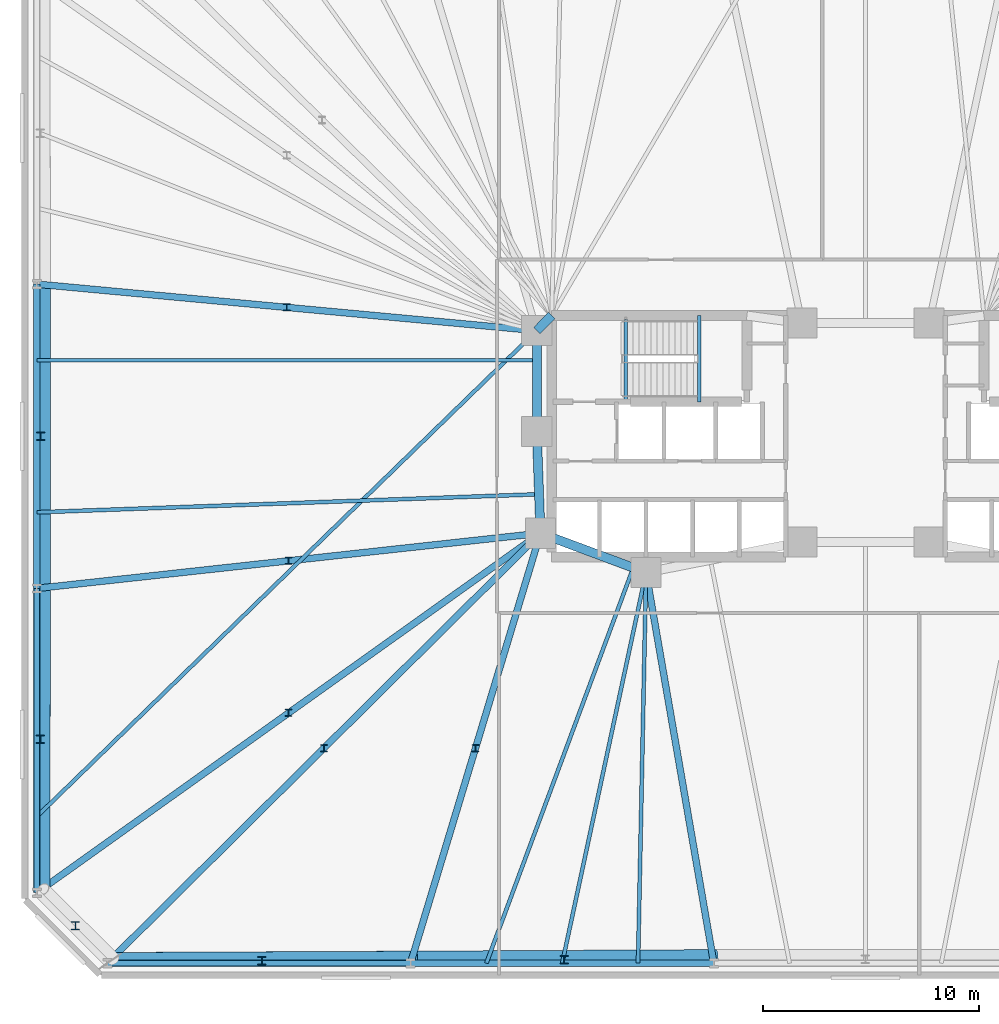
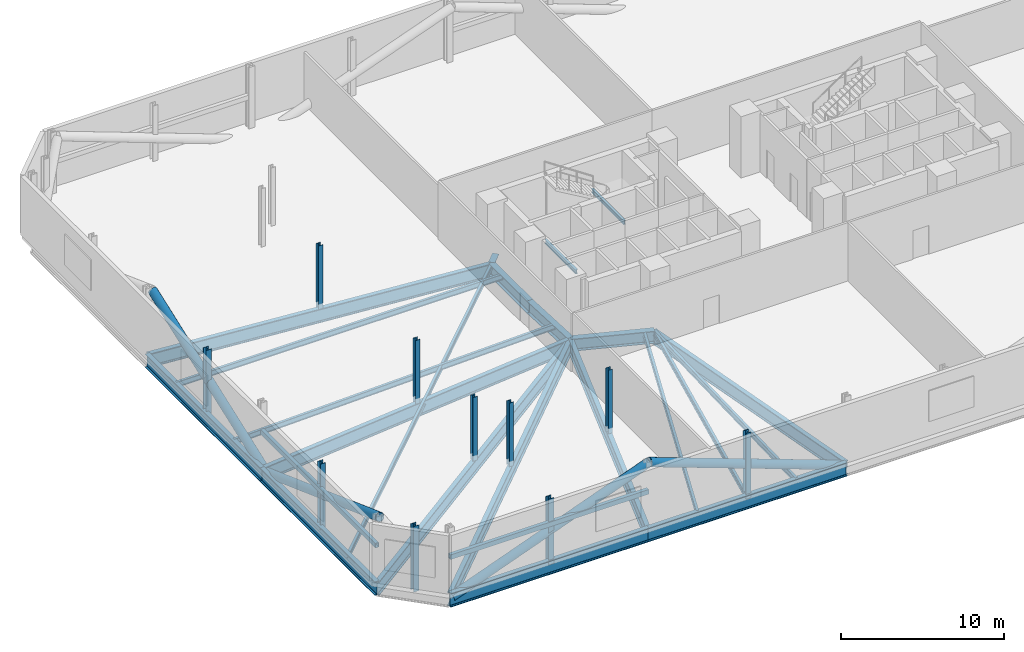
# One storey, part 6 of 17: 22 beams, 16 members.
"""IFC4 building model written with IfcOpenShell, lengths in metres."""

from ifc_helpers import new_model, si_unit, direction, frame, origin, origin_2d, place, context, subcontext, project, spatial, hollow_rectangle, hollow_circle, i_section, extrude, material, material_profile, profile_set, type_object, element, save


model = new_model("IFC4")

# Units and contexts
model_context = context("Model", 3, precision=1e-05, world=origin(), true_north=direction((0.0, 1.0)))
body_context = subcontext(model_context, "Body", "Model", "MODEL_VIEW")
ifc_project = project(units=[si_unit("LENGTHUNIT", "METRE"), si_unit("AREAUNIT", "SQUARE_METRE"), si_unit("VOLUMEUNIT", "CUBIC_METRE"), si_unit("PLANEANGLEUNIT", "RADIAN"), si_unit("MASSUNIT", "GRAM", prefix="KILO")], contexts=[model_context])

# Site, building, storey
site_placement = place(None, origin())
site = spatial("IfcSite", under=ifc_project, at=site_placement, CompositionType="ELEMENT")
building_placement = place(site_placement, origin())
building = spatial("IfcBuilding", under=site, at=building_placement, Name="Menara Jurai Vektor", CompositionType="ELEMENT")
storey_placement = place(building_placement, frame((0.0, 0.0, 9.60009765625)))
storey = spatial("IfcBuildingStorey", under=building, at=storey_placement, Name="L01", CompositionType="ELEMENT", Elevation=9.60009765625)

# Beams
ifc_material_1 = material(Name="Steel S460", Category="steel")
ifc_material_profile_1 = material_profile(ifc_material_1, i_section(OverallWidth=0.30908203125, OverallDepth=1.035888671875, WebThickness=0.030029296875, FlangeThickness=0.053955078125, FilletRadius=0.030029296875, at=origin_2d()), Name="UKB 1016x305x487")
ifc_profile_set_1 = profile_set([ifc_material_profile_1], Name="Steel S460")
beam_type_1 = type_object("IfcBeamType", Name="STR-BM-TR1016", PredefinedType="BEAM", material=ifc_profile_set_1)
beam_1_placement = place(storey_placement, frame((-35.177734375, -24.449951171875, -0.923095703125), z_axis=(1.0, 0.0, 0.0), x_axis=(0.0, 1.0, 0.0)))
element("IfcBeam", 1, at=beam_1_placement, inside=storey, type_object=beam_type_1, Name="Belt Truss Bottom Chord L01-01", PredefinedType="BEAM", context=body_context, shape_type="SweptSolid", body=[
    extrude(i_section(OverallWidth=0.30908203125, OverallDepth=1.035888671875, WebThickness=0.030029296875, FlangeThickness=0.053955078125, FilletRadius=0.030029296875, at=origin_2d()), origin(), (0.0, 0.0, 1.0), 14.071044921875),
])
beam_2_placement = place(storey_placement, frame((-35.177734375, -24.449951171875, -0.923095703125), z_axis=(0.709709931659, 0.704494011972, 0.0), x_axis=(-0.704494011972, 0.709709931659, 0.0)))
element("IfcBeam", 2, at=beam_2_placement, inside=storey, type_object=beam_type_1, Name="Outrigger Transfer Girder L01-S1", PredefinedType="BEAM", context=body_context, shape_type="SweptSolid", body=[
    extrude(i_section(OverallWidth=0.30908203125, OverallDepth=1.035888671875, WebThickness=0.030029296875, FlangeThickness=0.053955078125, FilletRadius=0.030029296875, at=origin_2d()), origin(), (0.0, 0.0, 1.0), 28.318115234375),
])
beam_3_placement = place(storey_placement, frame((-21.106689453125, -24.449951171875, -0.923095703125), z_axis=(1.0, 0.0, 0.0), x_axis=(0.0, 1.0, 0.0)))
element("IfcBeam", 3, at=beam_3_placement, inside=storey, type_object=beam_type_1, Name="Belt Truss Bottom Chord L01-02", PredefinedType="BEAM", context=body_context, shape_type="SweptSolid", body=[
    extrude(i_section(OverallWidth=0.30908203125, OverallDepth=1.035888671875, WebThickness=0.030029296875, FlangeThickness=0.053955078125, FilletRadius=0.030029296875, at=origin_2d()), origin(), (0.0, 0.0, 1.0), 14.071044921875),
])
beam_4_placement = place(storey_placement, frame((-21.106689453125, -24.449951171875, -0.923095703125), z_axis=(0.289179812203, 0.957274796604, 0.0), x_axis=(-0.957274796604, 0.289179812203, 0.0)))
element("IfcBeam", 4, at=beam_4_placement, inside=storey, type_object=beam_type_1, Name="Outrigger Transfer Girder L01-S2", PredefinedType="BEAM", context=body_context, shape_type="SweptSolid", body=[
    extrude(i_section(OverallWidth=0.30908203125, OverallDepth=1.035888671875, WebThickness=0.030029296875, FlangeThickness=0.053955078125, FilletRadius=0.030029296875, at=origin_2d()), origin(), (0.0, 0.0, 1.0), 20.84033203125),
])
beam_5_placement = place(storey_placement, frame((-7.03564453125, -24.449951171875, -0.923095703125), z_axis=(-0.170880325642, 0.985291791455, 0.0), x_axis=(-0.985291791455, -0.170880325642, 0.0)))
element("IfcBeam", 5, at=beam_5_placement, inside=storey, type_object=beam_type_1, Name="Outrigger Transfer Girder L01-S3", PredefinedType="BEAM", context=body_context, shape_type="SweptSolid", body=[
    extrude(i_section(OverallWidth=0.30908203125, OverallDepth=1.035888671875, WebThickness=0.030029296875, FlangeThickness=0.053955078125, FilletRadius=0.030029296875, at=origin_2d()), origin(), (0.0, 0.0, 1.0), 18.400634765625),
])
beam_6_placement = place(storey_placement, frame((-38.449951171875, 7.059326171875, -0.923095703125), z_axis=(0.0, -1.0, 0.0), x_axis=(1.0, 0.0, 0.0)))
element("IfcBeam", 6, at=beam_6_placement, inside=storey, type_object=beam_type_1, Name="Belt Truss Bottom Chord L01-18", PredefinedType="BEAM", context=body_context, shape_type="SweptSolid", body=[
    extrude(i_section(OverallWidth=0.30908203125, OverallDepth=1.035888671875, WebThickness=0.030029296875, FlangeThickness=0.053955078125, FilletRadius=0.030029296875, at=origin_2d()), origin(), (0.0, 0.0, 1.0), 14.11865234375),
])
beam_7_placement = place(storey_placement, frame((-38.449951171875, 7.059326171875, -0.923095703125), z_axis=(0.995696113112, -0.092678208514, 0.0), x_axis=(0.092678208514, 0.995696113112, 0.0)))
element("IfcBeam", 7, at=beam_7_placement, inside=storey, type_object=beam_type_1, Name="Outrigger Transfer Girder L01-W2", PredefinedType="BEAM", context=body_context, shape_type="SweptSolid", body=[
    extrude(i_section(OverallWidth=0.30908203125, OverallDepth=1.035888671875, WebThickness=0.030029296875, FlangeThickness=0.053955078125, FilletRadius=0.030029296875, at=origin_2d()), origin(), (0.0, 0.0, 1.0), 23.30029296875),
])
beam_8_placement = place(storey_placement, frame((-38.449951171875, -7.059326171875, -0.923095703125), z_axis=(0.0, -1.0, 0.0), x_axis=(1.0, 0.0, 0.0)))
element("IfcBeam", 8, at=beam_8_placement, inside=storey, type_object=beam_type_1, Name="Belt Truss Bottom Chord L01-19", PredefinedType="BEAM", context=body_context, shape_type="SweptSolid", body=[
    extrude(i_section(OverallWidth=0.30908203125, OverallDepth=1.035888671875, WebThickness=0.030029296875, FlangeThickness=0.053955078125, FilletRadius=0.030029296875, at=origin_2d()), origin(), (0.0, 0.0, 1.0), 14.118408203125),
])
beam_9_placement = place(storey_placement, frame((-38.449951171875, -7.059326171875, -0.923095703125), z_axis=(0.994056757953, 0.108863042253, 0.0), x_axis=(-0.108863042253, 0.994056757953, 0.0)))
element("IfcBeam", 9, at=beam_9_placement, inside=storey, type_object=beam_type_1, Name="Outrigger Transfer Girder L01-W3", PredefinedType="BEAM", context=body_context, shape_type="SweptSolid", body=[
    extrude(i_section(OverallWidth=0.30908203125, OverallDepth=1.035888671875, WebThickness=0.030029296875, FlangeThickness=0.053955078125, FilletRadius=0.030029296875, at=origin_2d()), origin(), (0.0, 0.0, 1.0), 23.509521484375),
])
beam_10_placement = place(storey_placement, frame((-38.449951171875, -21.177734375, -0.923095703125), z_axis=(0.813981033216, 0.580891450759, 0.0), x_axis=(-0.580891450759, 0.813981033216, 0.0)))
element("IfcBeam", 10, at=beam_10_placement, inside=storey, type_object=beam_type_1, Name="Outrigger Transfer Girder L01-W4", PredefinedType="BEAM", context=body_context, shape_type="SweptSolid", body=[
    extrude(i_section(OverallWidth=0.30908203125, OverallDepth=1.035888671875, WebThickness=0.030029296875, FlangeThickness=0.053955078125, FilletRadius=0.030029296875, at=origin_2d()), origin(), (0.0, 0.0, 1.0), 28.710693359375),
])
ifc_material_profile_2 = material_profile(ifc_material_1, i_section(OverallWidth=0.4208984375, OverallDepth=0.9208984375, WebThickness=0.02099609375, FlangeThickness=0.037109375, FilletRadius=0.02392578125, at=origin_2d()), Name="UKB 914x419x388")
ifc_profile_set_2 = profile_set([ifc_material_profile_2], Name="Steel S460")
beam_type_2 = type_object("IfcBeamType", Name="STR-BM-TR914", PredefinedType="BEAM", material=ifc_profile_set_2)
beam_11_placement = place(storey_placement, frame((-15.25, 4.89990234375, -0.865478515625), z_axis=(0.701871936926, 0.712303154672, 0.0), x_axis=(-0.712303154672, 0.701871936926, 0.0)))
element("IfcBeam", 11, at=beam_11_placement, inside=storey, type_object=beam_type_2, Name="Core Ring Header Girder L01-CHW-N1", PredefinedType="BEAM", context=body_context, shape_type="SweptSolid", body=[
    extrude(i_section(OverallWidth=0.4208984375, OverallDepth=0.9208984375, WebThickness=0.02099609375, FlangeThickness=0.037109375, FilletRadius=0.02392578125, at=origin_2d()), origin(), (0.0, 0.0, 1.0), 0.98291015625),
])
beam_12_placement = place(storey_placement, frame((-15.25, 0.219970703125, -0.865478515625), z_axis=(0.0, 1.0, 0.0), x_axis=(-1.0, 0.0, 0.0)))
element("IfcBeam", 12, at=beam_12_placement, inside=storey, type_object=beam_type_2, Name="Core Ring Header Girder L01-CHW-W1", PredefinedType="BEAM", context=body_context, shape_type="SweptSolid", body=[
    extrude(i_section(OverallWidth=0.4208984375, OverallDepth=0.9208984375, WebThickness=0.02099609375, FlangeThickness=0.037109375, FilletRadius=0.02392578125, at=origin_2d()), origin(), (0.0, 0.0, 1.0), 4.679931640625),
])
beam_13_placement = place(storey_placement, frame((-15.080078125, -4.5, -0.865478515625), z_axis=(-0.035977314146, 0.999352606874, 0.0), x_axis=(-0.999352606874, -0.035977314146, 0.0)))
element("IfcBeam", 13, at=beam_13_placement, inside=storey, type_object=beam_type_2, Name="Core Ring Header Girder L01-CHW-W2", PredefinedType="BEAM", context=body_context, shape_type="SweptSolid", body=[
    extrude(i_section(OverallWidth=0.4208984375, OverallDepth=0.9208984375, WebThickness=0.02099609375, FlangeThickness=0.037109375, FilletRadius=0.02392578125, at=origin_2d()), origin(), (0.0, 0.0, 1.0), 4.72314453125),
])
beam_14_placement = place(storey_placement, frame((-15.080078125, -4.5, -0.865478515625), z_axis=(0.937424400887, -0.348188874925, 0.0), x_axis=(0.348188874925, 0.937424400887, 0.0)))
element("IfcBeam", 14, at=beam_14_placement, inside=storey, type_object=beam_type_2, Name="Core Ring Header Girder L01-CHW-S1", PredefinedType="BEAM", context=body_context, shape_type="SweptSolid", body=[
    extrude(i_section(OverallWidth=0.4208984375, OverallDepth=0.9208984375, WebThickness=0.02099609375, FlangeThickness=0.037109375, FilletRadius=0.02392578125, at=origin_2d()), origin(), (0.0, 0.0, 1.0), 5.227294921875),
])

# Members
ifc_material_profile_3 = material_profile(ifc_material_1, hollow_circle(Radius=0.304931640625, WallThickness=0.02490234375, at=origin_2d()), Name="CHS 610x25")
ifc_profile_set_3 = profile_set([ifc_material_profile_3], Name="Steel S460")
member_type_1 = type_object("IfcMemberType", Name="STR-BR-610", PredefinedType="BRACE", material=ifc_profile_set_3)
member_1_placement = place(storey_placement, frame((-34.898681640625, -24.256103515625, -0.923095703125), z_axis=(0.938838220166, 0.004252429136, 0.344332271509), x_axis=(-0.004529412441, 0.999989742159, 0.0)))
element("IfcMember", 15, at=member_1_placement, inside=storey, type_object=member_type_1, Name="Belt Truss Web Diagonal L01-01", PredefinedType="BRACE", context=body_context, shape_type="SweptSolid", body=[
    extrude(hollow_circle(Radius=0.304931640625, WallThickness=0.02490234375, at=origin_2d()), origin(), (0.0, 0.0, 1.0), 14.92724609375),
])
member_2_placement = place(storey_placement, frame((-6.94140625, -24.123291015625, -0.923095703125), z_axis=(-0.938268373414, -0.004665794997, 0.345876697405), x_axis=(0.004972710837, -0.999987635997, 0.0)))
element("IfcMember", 16, at=member_2_placement, inside=storey, type_object=member_type_1, Name="Belt Truss Web Diagonal L01-02", PredefinedType="BRACE", context=body_context, shape_type="SweptSolid", body=[
    extrude(hollow_circle(Radius=0.304931640625, WallThickness=0.02490234375, at=origin_2d()), origin(), (0.0, 0.0, 1.0), 14.860595703125),
])
member_3_placement = place(storey_placement, frame((-38.115478515625, -6.997802734375, -0.923095703125), z_axis=(0.0, 0.938699068435, 0.344737666814), x_axis=(-1.0, 0.0, 0.0)))
element("IfcMember", 17, at=member_3_placement, inside=storey, type_object=member_type_1, Name="Belt Truss Web Diagonal L01-18", PredefinedType="BRACE", context=body_context, shape_type="SweptSolid", body=[
    extrude(hollow_circle(Radius=0.304931640625, WallThickness=0.02490234375, at=origin_2d()), origin(), (0.0, 0.0, 1.0), 14.90966796875),
])
member_4_placement = place(storey_placement, frame((-38.115478515625, -6.997802734375, -0.923095703125), z_axis=(-0.00245303796, -0.938859395143, 0.344292054449), x_axis=(0.999996586694, -0.002612776311, 0.0)))
element("IfcMember", 18, at=member_4_placement, inside=storey, type_object=member_type_1, Name="Belt Truss Web Diagonal L01-19", PredefinedType="BRACE", context=body_context, shape_type="SweptSolid", body=[
    extrude(hollow_circle(Radius=0.304931640625, WallThickness=0.02490234375, at=origin_2d()), origin(), (0.0, 0.0, 1.0), 14.928955078125),
])
ifc_material_profile_4 = material_profile(ifc_material_1, hollow_rectangle(XDim=0.25, YDim=0.35009765625, WallThickness=0.012451171875, at=origin_2d()), Name="RHS 350x250x12.5")
ifc_profile_set_4 = profile_set([ifc_material_profile_4], Name="Steel S460")
member_type_2 = type_object("IfcMemberType", Name="STR-CH-RHS350", PredefinedType="CHORD", material=ifc_profile_set_4)
member_5_placement = place(storey_placement, frame((-35.177734375, -24.449951171875, 2.2998046875), z_axis=(1.0, 0.0, 0.0), x_axis=(0.0, 1.0, 0.0)))
element("IfcMember", 19, at=member_5_placement, inside=storey, type_object=member_type_2, Name="Belt Truss Mid Chord L01-01", PredefinedType="CHORD", context=body_context, shape_type="SweptSolid", body=[
    extrude(hollow_rectangle(XDim=0.25, YDim=0.35009765625, WallThickness=0.012451171875, at=origin_2d()), origin(), (0.0, 0.0, 1.0), 14.071044921875),
])
member_6_placement = place(storey_placement, frame((-38.449951171875, -7.059326171875, 2.2998046875), z_axis=(0.0, -1.0, 0.0), x_axis=(1.0, 0.0, 0.0)))
element("IfcMember", 20, at=member_6_placement, inside=storey, type_object=member_type_2, Name="Belt Truss Mid Chord L01-19", PredefinedType="CHORD", context=body_context, shape_type="SweptSolid", body=[
    extrude(hollow_rectangle(XDim=0.25, YDim=0.35009765625, WallThickness=0.012451171875, at=origin_2d()), origin(), (0.0, 0.0, 1.0), 14.118408203125),
])

# Beams
ifc_material_2 = material(Name="Steel S355", Category="steel")
ifc_material_profile_5 = material_profile(ifc_material_2, i_section(OverallWidth=0.178955078125, OverallDepth=0.408935546875, WebThickness=0.009033203125, FlangeThickness=0.013916015625, FilletRadius=0.010009765625, at=origin_2d()), Name="UKB 406x178x67")
ifc_profile_set_5 = profile_set([ifc_material_profile_5], Name="Steel S355")
beam_type_3 = type_object("IfcBeamType", Name="STR-JS-406", PredefinedType="JOIST", material=ifc_profile_set_5)
beam_15_placement = place(storey_placement, frame((-17.5888671875, -24.449951171875, -0.609619140625), z_axis=(0.348179014223, 0.937428063403, 0.0), x_axis=(-0.937428063403, 0.348179014223, 0.0)))
element("IfcBeam", 21, at=beam_15_placement, inside=storey, type_object=beam_type_3, Name="Radial Secondary Floor Joist L01-JS01", PredefinedType="JOIST", context=body_context, shape_type="SweptSolid", body=[
    extrude(i_section(OverallWidth=0.178955078125, OverallDepth=0.408935546875, WebThickness=0.009033203125, FlangeThickness=0.013916015625, FilletRadius=0.010009765625, at=origin_2d()), origin(), (0.0, 0.0, 1.0), 19.5751953125),
])
beam_16_placement = place(storey_placement, frame((-14.071044921875, -24.449951171875, -0.609619140625), z_axis=(0.209845584412, 0.977734539997, 0.0), x_axis=(-0.977734539997, 0.209845584412, 0.0)))
element("IfcBeam", 22, at=beam_16_placement, inside=storey, type_object=beam_type_3, Name="Radial Secondary Floor Joist L01-JS02", PredefinedType="JOIST", context=body_context, shape_type="SweptSolid", body=[
    extrude(i_section(OverallWidth=0.178955078125, OverallDepth=0.408935546875, WebThickness=0.009033203125, FlangeThickness=0.013916015625, FilletRadius=0.010009765625, at=origin_2d()), origin(), (0.0, 0.0, 1.0), 18.542724609375),
])
beam_17_placement = place(storey_placement, frame((-10.55322265625, -24.449951171875, -0.609619140625), z_axis=(0.020585456509, 0.999788097039, 0.0), x_axis=(-0.999788097039, 0.020585456509, 0.0)))
element("IfcBeam", 23, at=beam_17_placement, inside=storey, type_object=beam_type_3, Name="Radial Secondary Floor Joist L01-JS03", PredefinedType="JOIST", context=body_context, shape_type="SweptSolid", body=[
    extrude(i_section(OverallWidth=0.178955078125, OverallDepth=0.408935546875, WebThickness=0.009033203125, FlangeThickness=0.013916015625, FilletRadius=0.010009765625, at=origin_2d()), origin(), (0.0, 0.0, 1.0), 18.1337890625),
])
beam_18_placement = place(storey_placement, frame((-38.449951171875, 3.529541015625, -0.609619140625), z_axis=(1.0, 0.0, 0.0), x_axis=(0.0, 1.0, 0.0)))
element("IfcBeam", 24, at=beam_18_placement, inside=storey, type_object=beam_type_3, Name="Radial Secondary Floor Joist L01-JS35", PredefinedType="JOIST", context=body_context, shape_type="SweptSolid", body=[
    extrude(i_section(OverallWidth=0.178955078125, OverallDepth=0.408935546875, WebThickness=0.009033203125, FlangeThickness=0.013916015625, FilletRadius=0.010009765625, at=origin_2d()), origin(), (0.0, 0.0, 1.0), 23.199951171875),
])
beam_19_placement = place(storey_placement, frame((-38.449951171875, -3.529541015625, -0.609619140625), z_axis=(0.999352032814, 0.035993256462, 0.0), x_axis=(-0.035993256462, 0.999352032814, 0.0)))
element("IfcBeam", 25, at=beam_19_placement, inside=storey, type_object=beam_type_3, Name="Radial Secondary Floor Joist L01-JS36", PredefinedType="JOIST", context=body_context, shape_type="SweptSolid", body=[
    extrude(i_section(OverallWidth=0.178955078125, OverallDepth=0.408935546875, WebThickness=0.009033203125, FlangeThickness=0.013916015625, FilletRadius=0.010009765625, at=origin_2d()), origin(), (0.0, 0.0, 1.0), 23.31982421875),
])
beam_20_placement = place(storey_placement, frame((-38.449951171875, -17.648193359375, -0.609619140625), z_axis=(0.71710942187, 0.696960599363, 0.0), x_axis=(-0.696960599363, 0.71710942187, 0.0)))
element("IfcBeam", 26, at=beam_20_placement, inside=storey, type_object=beam_type_3, Name="Radial Secondary Floor Joist L01-JS37", PredefinedType="JOIST", context=body_context, shape_type="SweptSolid", body=[
    extrude(i_section(OverallWidth=0.178955078125, OverallDepth=0.408935546875, WebThickness=0.009033203125, FlangeThickness=0.013916015625, FilletRadius=0.010009765625, at=origin_2d()), origin(), (0.0, 0.0, 1.0), 32.35205078125),
])
ifc_material_profile_6 = material_profile(ifc_material_2, i_section(OverallWidth=0.1650390625, OverallDepth=0.302978515625, WebThickness=0.006103515625, FlangeThickness=0.010009765625, FilletRadius=0.009033203125, at=origin_2d()), Name="UKB 305x165x40")
ifc_profile_set_6 = profile_set([ifc_material_profile_6], Name="Steel S355")
beam_type_4 = type_object("IfcBeamType", Name="STR-LN-305", PredefinedType="LINTEL", material=ifc_profile_set_6)
beam_21_placement = place(storey_placement, frame((-11.1201171875, 1.60009765625, -0.556640625), z_axis=(0.0, 1.0, 0.0), x_axis=(-1.0, 0.0, 0.0)))
element("IfcBeam", 27, at=beam_21_placement, inside=storey, type_object=beam_type_4, Name="Stair Well Floor Trimmer ST1 L01", PredefinedType="LINTEL", context=body_context, shape_type="SweptSolid", body=[
    extrude(i_section(OverallWidth=0.1650390625, OverallDepth=0.302978515625, WebThickness=0.006103515625, FlangeThickness=0.010009765625, FilletRadius=0.009033203125, at=origin_2d()), origin(), (0.0, 0.0, 1.0), 3.81982421875),
])
beam_22_placement = place(storey_placement, frame((-7.7099609375, 1.60009765625, 1.948486328125), z_axis=(0.0, 1.0, 0.0), x_axis=(-1.0, 0.0, 0.0)))
element("IfcBeam", 28, at=beam_22_placement, inside=storey, type_object=beam_type_4, Name="Stair Half-Landing Nosing Trimmer ST1-1 L01", PredefinedType="LINTEL", context=body_context, shape_type="SweptSolid", body=[
    extrude(i_section(OverallWidth=0.1650390625, OverallDepth=0.302978515625, WebThickness=0.006103515625, FlangeThickness=0.010009765625, FilletRadius=0.009033203125, at=origin_2d()), origin(), (0.0, 0.0, 1.0), 4.0),
])

# Members
ifc_material_profile_7 = material_profile(ifc_material_1, i_section(OverallWidth=0.31103515625, OverallDepth=0.326904296875, WebThickness=0.01611328125, FlangeThickness=0.02490234375, FilletRadius=0.014892578125, at=origin_2d()), Name="UKC 305x305x158")
ifc_profile_set_7 = profile_set([ifc_material_profile_7], Name="Steel S460")
member_type_3 = type_object("IfcMemberType", Name="STR-POST-305", PredefinedType="POST", material=ifc_profile_set_7)
for number, where, z_axis, x_axis, name in (
    (29, (-25.12890625, -14.47509765625, -0.405029296875), (0.0, 0.0, 1.0), (1.0, 0.0, 0.0), "Girder Hanger L01-S1"),
    (30, (-18.09326171875, -14.47509765625, -0.405029296875), (0.0, 0.0, 1.0), (1.0, 0.0, 0.0), "Girder Hanger L01-S2"),
    (31, (-26.85009765625, 5.9794921875, -0.405029296875), (0.0, 0.0, 1.0), (1.0, 0.0, 0.0), "Girder Hanger L01-W2"),
    (32, (-26.764892578125, -5.779541015625, -0.405029296875), (0.0, 0.0, 1.0), (1.0, 0.0, 0.0), "Girder Hanger L01-W3"),
    (33, (-26.764892578125, -12.8388671875, -0.405029296875), (0.0, 0.0, 1.0), (1.0, 0.0, 0.0), "Girder Hanger L01-W4"),
):
    element("IfcMember", number, at=place(storey_placement, frame(where, z_axis=z_axis, x_axis=x_axis)), inside=storey, type_object=member_type_3, Name=name, PredefinedType="POST", context=body_context, shape_type="SweptSolid", body=[
        extrude(i_section(OverallWidth=0.31103515625, OverallDepth=0.326904296875, WebThickness=0.01611328125, FlangeThickness=0.02490234375, FilletRadius=0.014892578125, at=origin_2d()), origin(), (0.0, 0.0, 1.0), 4.780029296875),
    ])
ifc_material_profile_8 = material_profile(ifc_material_1, i_section(OverallWidth=0.375, OverallDepth=0.375, WebThickness=0.01708984375, FlangeThickness=0.027099609375, FilletRadius=0.014892578125, at=origin_2d()), Name="UKC 356x368x202")
ifc_profile_set_8 = profile_set([ifc_material_profile_8], Name="Steel S460")
member_type_4 = type_object("IfcMemberType", Name="STR-POST-368", PredefinedType="POST", material=ifc_profile_set_8)
for number, where, z_axis, x_axis, name in (
    (34, (-28.00634765625, -24.331787109375, -0.755126953125), (0.0, 0.0, 1.0), (1.0, 0.0, 0.0), "Belt Truss Vertical Web Post L01-01"),
    (35, (-13.981201171875, -24.2939453125, -0.755126953125), (0.0, 0.0, 1.0), (1.0, 0.0, 0.0), "Belt Truss Vertical Web Post L01-02"),
    (36, (-38.27001953125, 0.0, -0.755126953125), (0.0, 0.0, 1.0), (1.0, 0.0, 0.0), "Belt Truss Vertical Web Post L01-18"),
    (37, (-38.281005859375, -14.056396484375, -0.755126953125), (0.0, 0.0, 1.0), (1.0, 0.0, 0.0), "Belt Truss Vertical Web Post L01-19"),
    (38, (-36.660888671875, -22.718994140625, -0.755126953125), (0.0, 0.0, 1.0), (1.0, 0.0, 0.0), "Belt Truss Vertical Web Post L01-20"),
):
    element("IfcMember", number, at=place(storey_placement, frame(where, z_axis=z_axis, x_axis=x_axis)), inside=storey, type_object=member_type_4, Name=name, PredefinedType="POST", context=body_context, shape_type="SweptSolid", body=[
        extrude(i_section(OverallWidth=0.375, OverallDepth=0.375, WebThickness=0.01708984375, FlangeThickness=0.027099609375, FilletRadius=0.014892578125, at=origin_2d()), origin(), (0.0, 0.0, 1.0), 4.929931640625),
    ])

save(model, "model.ifc")
